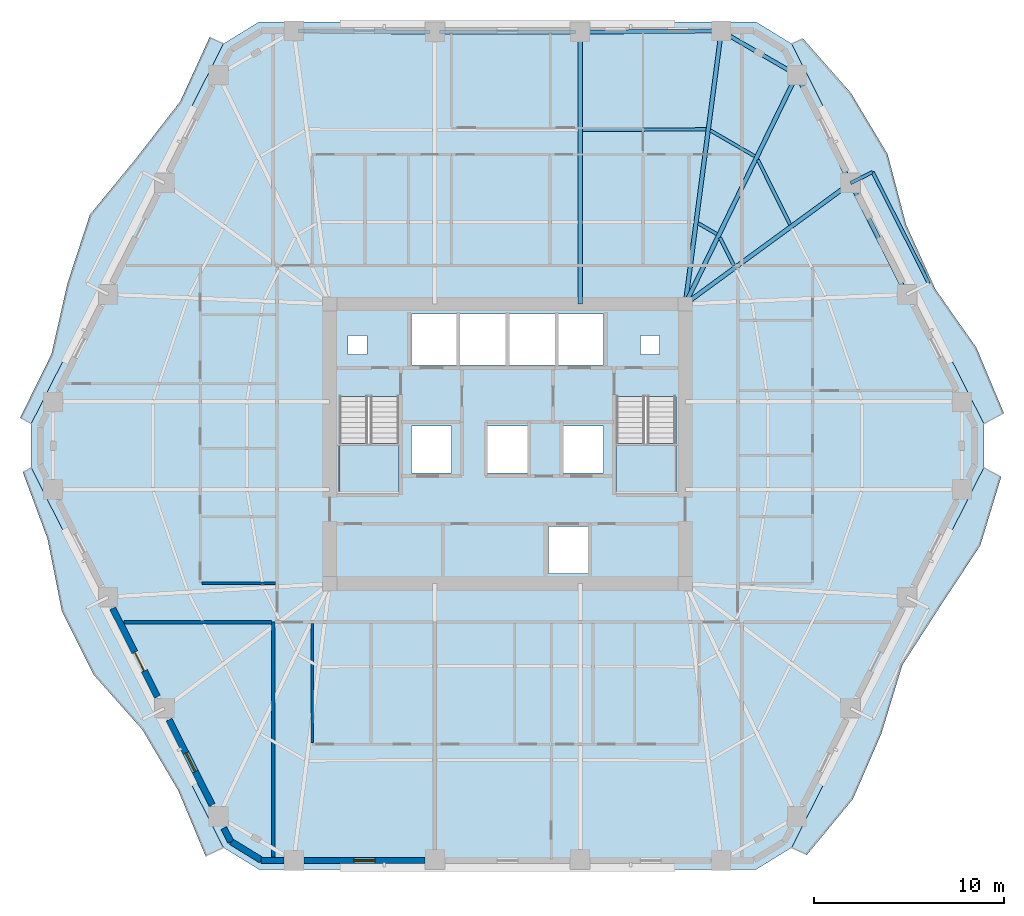
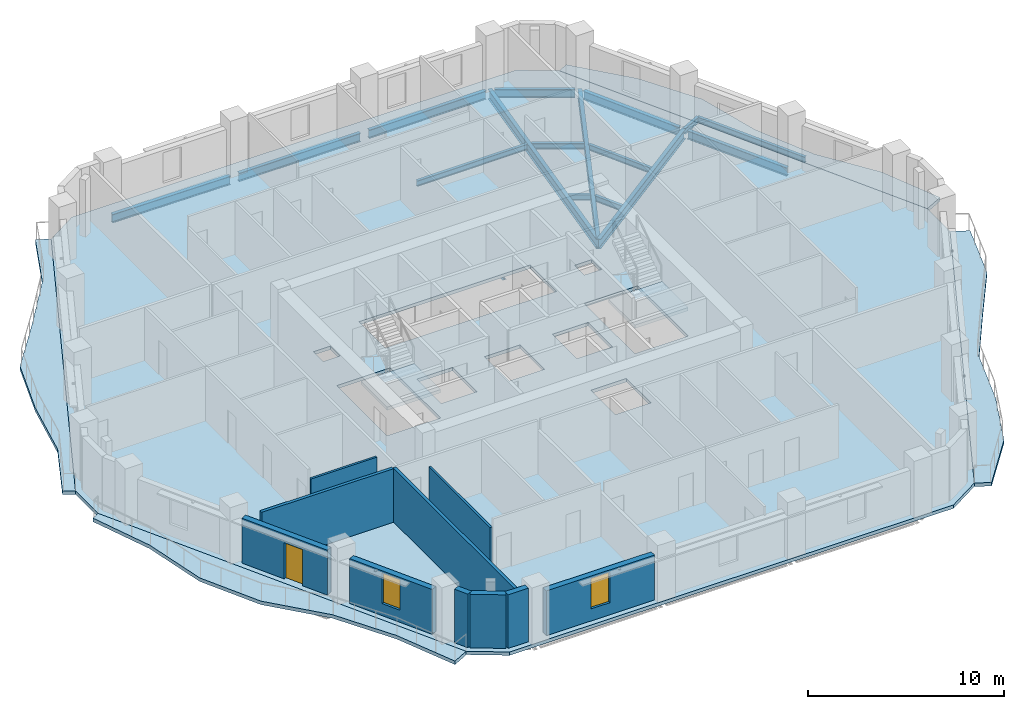
# One storey, part 3 of 12: 17 beams, 10 walls, 7 slabs, 2 windows, 1 door, 3 openings, 2 elements without a shape of their own.
"""IFC4 building model written with IfcOpenShell, lengths in metres."""

from ifc_helpers import new_model, si_unit, direction, frame, frame_2d, origin, origin_2d, place, context, subcontext, project, spatial, polyline, rectangle, i_section, outline, extrude, material, layer, layer_set, material_profile, profile_set, type_object, element, fill, aggregate, save


model = new_model("IFC4")

# Units and contexts
model_context = context("Model", 3, precision=1e-05, world=origin(), true_north=direction((0.0, 1.0)))
body_context = subcontext(model_context, "Body", "Model", "MODEL_VIEW")
ifc_project = project(units=[si_unit("LENGTHUNIT", "METRE"), si_unit("AREAUNIT", "SQUARE_METRE"), si_unit("VOLUMEUNIT", "CUBIC_METRE"), si_unit("PLANEANGLEUNIT", "RADIAN"), si_unit("MASSUNIT", "GRAM", prefix="KILO")], contexts=[model_context])

# Site, building, storey
site_placement = place(None, origin())
site = spatial("IfcSite", under=ifc_project, at=site_placement, CompositionType="ELEMENT")
building_placement = place(site_placement, origin())
building = spatial("IfcBuilding", under=site, at=building_placement, Name="Cinnabar Lancet Tower", CompositionType="ELEMENT")
storey_placement = place(building_placement, frame((0.0, 0.0, 126.800048828125)))
storey = spatial("IfcBuildingStorey", under=building, at=storey_placement, Name="L33", CompositionType="ELEMENT", Elevation=126.800048828125)

# Beams
ifc_material_1 = material(Name="Structural steel S355", Category="steel")
ifc_material_profile_1 = material_profile(ifc_material_1, i_section(OverallWidth=0.17138671875, OverallDepth=0.35498046875, WebThickness=0.00732421875, FlangeThickness=0.011474609375, FilletRadius=0.01025390625, at=origin_2d()), Name="UKB 356x171x51")
ifc_profile_set_1 = profile_set([ifc_material_profile_1], Name="Structural steel S355")
beam_type_1 = type_object("IfcBeamType", Name="STR-BM-JST-356", PredefinedType="JOIST", material=ifc_profile_set_1)
beam_1_placement = place(storey_placement, frame((47.300048828125, 37.455078125, -0.386962890625), z_axis=(-0.445116798807, 0.895472520751, 0.0), x_axis=(-0.895472520751, -0.445116798807, 0.0)))
element("IfcBeam", 1, at=beam_1_placement, inside=storey, type_object=beam_type_1, Name="L33 Secondary Floor Joist 29", PredefinedType="JOIST", context=body_context, shape_type="SweptSolid", body=[
    extrude(i_section(OverallWidth=0.17138671875, OverallDepth=0.35498046875, WebThickness=0.00732421875, FlangeThickness=0.011474609375, FilletRadius=0.01025390625, at=origin_2d()), origin(), (0.0, 0.0, 1.0), 3.8212890625),
])
beam_2_placement = place(storey_placement, frame((44.337890625, 35.2900390625, -0.386962890625), z_axis=(-0.445677136949, 0.895193772097, 0.0), x_axis=(-0.895193772097, -0.445677136949, 0.0)))
element("IfcBeam", 2, at=beam_2_placement, inside=storey, type_object=beam_type_1, Name="L33 Secondary Floor Joist 30", PredefinedType="JOIST", context=body_context, shape_type="SweptSolid", body=[
    extrude(i_section(OverallWidth=0.17138671875, OverallDepth=0.35498046875, WebThickness=0.00732421875, FlangeThickness=0.011474609375, FilletRadius=0.01025390625, at=origin_2d()), origin(), (0.0, 0.0, 1.0), 1.6533203125),
])
beam_3_placement = place(storey_placement, frame((45.43505859375, 41.06298828125, -0.386962890625), z_axis=(-0.865172906898, 0.501473669469, 0.0), x_axis=(-0.501473669469, -0.865172906898, 0.0)))
element("IfcBeam", 3, at=beam_3_placement, inside=storey, type_object=beam_type_1, Name="L33 Secondary Floor Joist 31", PredefinedType="JOIST", context=body_context, shape_type="SweptSolid", body=[
    extrude(i_section(OverallWidth=0.17138671875, OverallDepth=0.35498046875, WebThickness=0.00732421875, FlangeThickness=0.011474609375, FilletRadius=0.01025390625, at=origin_2d()), origin(), (0.0, 0.0, 1.0), 2.705810546875),
])
beam_4_placement = place(storey_placement, frame((43.43798828125, 36.9560546875, -0.386962890625), z_axis=(-0.865055308165, 0.501676503154, 0.0), x_axis=(-0.501676503154, -0.865055308165, 0.0)))
element("IfcBeam", 4, at=beam_4_placement, inside=storey, type_object=beam_type_1, Name="L33 Secondary Floor Joist 32", PredefinedType="JOIST", context=body_context, shape_type="SweptSolid", body=[
    extrude(i_section(OverallWidth=0.17138671875, OverallDepth=0.35498046875, WebThickness=0.00732421875, FlangeThickness=0.011474609375, FilletRadius=0.01025390625, at=origin_2d()), origin(), (0.0, 0.0, 1.0), 1.14208984375),
])
beam_5_placement = place(storey_placement, frame((42.8720703125, 42.48095703125, -0.386962890625), z_axis=(-0.999987991898, -0.004900618269, 0.0), x_axis=(0.004900618269, -0.999987991898, 0.0)))
element("IfcBeam", 5, at=beam_5_placement, inside=storey, type_object=beam_type_1, Name="L33 Secondary Floor Joist 33", PredefinedType="JOIST", context=body_context, shape_type="SweptSolid", body=[
    extrude(i_section(OverallWidth=0.17138671875, OverallDepth=0.35498046875, WebThickness=0.00732421875, FlangeThickness=0.011474609375, FilletRadius=0.01025390625, at=origin_2d()), origin(), (0.0, 0.0, 1.0), 6.526123046875),
])
ifc_material_2 = material(Name="Structural steel S355", Category="steel")
ifc_material_profile_2 = material_profile(ifc_material_2, i_section(OverallWidth=0.209228515625, OverallDepth=0.533203125, WebThickness=0.010009765625, FlangeThickness=0.015625, FilletRadius=0.0126953125, at=origin_2d()), Name="UKB 533x210x92")
ifc_profile_set_2 = profile_set([ifc_material_profile_2], Name="Structural steel S355")
beam_type_2 = type_object("IfcBeamType", Name="STR-BM-SPN-533", PredefinedType="SPANDREL", material=ifc_profile_set_2)
beam_6_placement = place(storey_placement, frame((53.339111328125, 33.9990234375, -0.47705078125), z_axis=(-0.450570325924, 0.892740937449, 0.0), x_axis=(-0.892740937449, -0.450570325924, 0.0)))
element("IfcBeam", 6, at=beam_6_placement, inside=storey, type_object=beam_type_2, Name="L33 Perimeter Spandrel 10", PredefinedType="SPANDREL", context=body_context, shape_type="SweptSolid", body=[
    extrude(i_section(OverallWidth=0.209228515625, OverallDepth=0.533203125, WebThickness=0.010009765625, FlangeThickness=0.015625, FilletRadius=0.0126953125, at=origin_2d()), origin(), (0.0, 0.0, 1.0), 6.07470703125),
])
beam_7_placement = place(storey_placement, frame((50.3779296875, 39.868896484375, -0.47705078125), z_axis=(-0.445501068635, 0.89528140707, 0.0), x_axis=(-0.89528140707, -0.445501068635, 0.0)))
element("IfcBeam", 7, at=beam_7_placement, inside=storey, type_object=beam_type_2, Name="L33 Perimeter Spandrel 11", PredefinedType="SPANDREL", context=body_context, shape_type="SweptSolid", body=[
    extrude(i_section(OverallWidth=0.209228515625, OverallDepth=0.533203125, WebThickness=0.010009765625, FlangeThickness=0.015625, FilletRadius=0.0126953125, at=origin_2d()), origin(), (0.0, 0.0, 1.0), 5.87646484375),
])
beam_8_placement = place(storey_placement, frame((47.43310546875, 45.47900390625, -0.47705078125), z_axis=(-0.865138129765, 0.5015336643, 0.0), x_axis=(-0.5015336643, -0.865138129765, 0.0)))
element("IfcBeam", 8, at=beam_8_placement, inside=storey, type_object=beam_type_2, Name="L33 Perimeter Spandrel 12", PredefinedType="SPANDREL", context=body_context, shape_type="SweptSolid", body=[
    extrude(i_section(OverallWidth=0.209228515625, OverallDepth=0.533203125, WebThickness=0.010009765625, FlangeThickness=0.015625, FilletRadius=0.0126953125, at=origin_2d()), origin(), (0.0, 0.0, 1.0), 4.10107421875),
])
beam_9_placement = place(storey_placement, frame((43.4189453125, 47.658935546875, -0.47705078125), z_axis=(-0.999975228682, -0.007038609338, 0.0), x_axis=(0.007038609338, -0.999975228682, 0.0)))
element("IfcBeam", 9, at=beam_9_placement, inside=storey, type_object=beam_type_2, Name="L33 Perimeter Spandrel 13", PredefinedType="SPANDREL", context=body_context, shape_type="SweptSolid", body=[
    extrude(i_section(OverallWidth=0.209228515625, OverallDepth=0.533203125, WebThickness=0.010009765625, FlangeThickness=0.015625, FilletRadius=0.0126953125, at=origin_2d()), origin(), (0.0, 0.0, 1.0), 6.937255859375),
])
beam_10_placement = place(storey_placement, frame((35.98193359375, 47.60791015625, -0.47705078125), z_axis=(-1.0, 0.0, 0.0), x_axis=(0.0, -1.0, 0.0)))
element("IfcBeam", 10, at=beam_10_placement, inside=storey, type_object=beam_type_2, Name="L33 Perimeter Spandrel 14", PredefinedType="SPANDREL", context=body_context, shape_type="SweptSolid", body=[
    extrude(i_section(OverallWidth=0.209228515625, OverallDepth=0.533203125, WebThickness=0.010009765625, FlangeThickness=0.015625, FilletRadius=0.0126953125, at=origin_2d()), origin(), (0.0, 0.0, 1.0), 7.163818359375),
])
beam_11_placement = place(storey_placement, frame((28.318115234375, 47.610107421875, -0.47705078125), z_axis=(-0.999975228682, 0.007038609338, 0.0), x_axis=(-0.007038609338, -0.999975228682, 0.0)))
element("IfcBeam", 11, at=beam_11_placement, inside=storey, type_object=beam_type_2, Name="L33 Perimeter Spandrel 15", PredefinedType="SPANDREL", context=body_context, shape_type="SweptSolid", body=[
    extrude(i_section(OverallWidth=0.209228515625, OverallDepth=0.533203125, WebThickness=0.010009765625, FlangeThickness=0.015625, FilletRadius=0.0126953125, at=origin_2d()), origin(), (0.0, 0.0, 1.0), 6.937255859375),
])
ifc_material_3 = material(Name="Structural steel S355", Category="steel")
ifc_material_profile_3 = material_profile(ifc_material_3, i_section(OverallWidth=0.228271484375, OverallDepth=0.607666015625, WebThickness=0.010986328125, FlangeThickness=0.017333984375, FilletRadius=0.0126953125, at=origin_2d()), Name="UKB 610x229x113")
ifc_profile_set_3 = profile_set([ifc_material_profile_3], Name="Structural steel S355")
beam_type_3 = type_object("IfcBeamType", Name="STR-BM-UKB610-113", PredefinedType="BEAM", material=ifc_profile_set_3)
beam_12_placement = place(storey_placement, frame((50.489013671875, 39.64501953125, -0.51416015625), z_axis=(-0.807297870919, -0.590144175273, 0.0), x_axis=(0.590144175273, -0.807297870919, 0.0)))
element("IfcBeam", 12, at=beam_12_placement, inside=storey, type_object=beam_type_3, Name="L33 Corner Collector Girder 3", PredefinedType="BEAM", context=body_context, shape_type="SweptSolid", body=[
    extrude(i_section(OverallWidth=0.228271484375, OverallDepth=0.607666015625, WebThickness=0.010986328125, FlangeThickness=0.017333984375, FilletRadius=0.0126953125, at=origin_2d()), origin(), (0.0, 0.0, 1.0), 10.794189453125),
])
beam_13_placement = place(storey_placement, frame((47.64892578125, 45.35400390625, -0.51416015625), z_axis=(-0.437327473227, -0.899302330232, 0.0), x_axis=(0.899302330232, -0.437327473227, 0.0)))
element("IfcBeam", 13, at=beam_13_placement, inside=storey, type_object=beam_type_3, Name="L33 Primary Floor Girder 12", PredefinedType="BEAM", context=body_context, shape_type="SweptSolid", body=[
    extrude(i_section(OverallWidth=0.228271484375, OverallDepth=0.607666015625, WebThickness=0.010986328125, FlangeThickness=0.017333984375, FilletRadius=0.0126953125, at=origin_2d()), origin(), (0.0, 0.0, 1.0), 13.431640625),
])
beam_14_placement = place(storey_placement, frame((43.6689453125, 47.660888671875, -0.51416015625), z_axis=(-0.130532420418, -0.991444041396, 0.0), x_axis=(0.991444041396, -0.130532420418, 0.0)))
element("IfcBeam", 14, at=beam_14_placement, inside=storey, type_object=beam_type_3, Name="L33 Primary Floor Girder 13", PredefinedType="BEAM", context=body_context, shape_type="SweptSolid", body=[
    extrude(i_section(OverallWidth=0.228271484375, OverallDepth=0.607666015625, WebThickness=0.010986328125, FlangeThickness=0.017333984375, FilletRadius=0.0126953125, at=origin_2d()), origin(), (0.0, 0.0, 1.0), 14.51025390625),
])
beam_15_placement = place(storey_placement, frame((36.23193359375, 47.60791015625, -0.51416015625), z_axis=(0.0, -1.0, 0.0), x_axis=(1.0, 0.0, 0.0)))
element("IfcBeam", 15, at=beam_15_placement, inside=storey, type_object=beam_type_3, Name="L33 Primary Floor Girder 14", PredefinedType="BEAM", context=body_context, shape_type="SweptSolid", body=[
    extrude(i_section(OverallWidth=0.228271484375, OverallDepth=0.607666015625, WebThickness=0.010986328125, FlangeThickness=0.017333984375, FilletRadius=0.0126953125, at=origin_2d()), origin(), (0.0, 0.0, 1.0), 14.3330078125),
])
ifc_material_4 = material(Name="Structural steel S355", Category="steel")
ifc_material_profile_4 = material_profile(ifc_material_4, i_section(OverallWidth=0.17138671875, OverallDepth=0.35498046875, WebThickness=0.00732421875, FlangeThickness=0.011474609375, FilletRadius=0.01025390625, at=origin_2d()), Name="UKB 356x171x51")
ifc_profile_set_4 = profile_set([ifc_material_profile_4], Name="Structural steel S355")
beam_type_4 = type_object("IfcBeamType", Name="STR-BM-WAV-OUT", PredefinedType="BEAM", material=ifc_profile_set_4)
beam_16_placement = place(storey_placement, frame((50.489013671875, 39.64501953125, -0.39697265625), z_axis=(0.89227592947, 0.451490493464, 0.0), x_axis=(-0.451490493464, 0.89227592947, 0.0)))
element("IfcBeam", 16, at=beam_16_placement, inside=storey, type_object=beam_type_4, Name="L33 Face 3 Balcony Outlooker B", PredefinedType="BEAM", context=body_context, shape_type="SweptSolid", body=[
    extrude(i_section(OverallWidth=0.17138671875, OverallDepth=0.35498046875, WebThickness=0.00732421875, FlangeThickness=0.011474609375, FilletRadius=0.01025390625, at=origin_2d()), origin(), (0.0, 0.0, 1.0), 1.300048828125),
])
ifc_material_5 = material(Name="Structural steel S355", Category="steel")
ifc_material_profile_5 = material_profile(ifc_material_5, i_section(OverallWidth=0.17138671875, OverallDepth=0.35498046875, WebThickness=0.00732421875, FlangeThickness=0.011474609375, FilletRadius=0.01025390625, at=origin_2d()), Name="UKB 356x171x51")
ifc_profile_set_5 = profile_set([ifc_material_profile_5], Name="Structural steel S355")
beam_type_5 = type_object("IfcBeamType", Name="STR-BM-WAV-TRIM", PredefinedType="SPANDREL", material=ifc_profile_set_5)
beam_17_placement = place(storey_placement, frame((54.612060546875, 34.363037109375, -0.39697265625), z_axis=(-0.450700828166, 0.892675060417, 0.0), x_axis=(-0.892675060417, -0.450700828166, 0.0)))
element("IfcBeam", 17, at=beam_17_placement, inside=storey, type_object=beam_type_5, Name="L33 Face 3 Balcony Edge Trimmer", PredefinedType="SPANDREL", context=body_context, shape_type="SweptSolid", body=[
    extrude(i_section(OverallWidth=0.17138671875, OverallDepth=0.35498046875, WebThickness=0.00732421875, FlangeThickness=0.011474609375, FilletRadius=0.01025390625, at=origin_2d()), origin(), (0.0, 0.0, 1.0), 6.574462890625),
])

# Stair, slab
ifc_material_6 = material(Name="Concrete C40/50", Category="concrete")
stair_type = type_object("IfcStairType", Name="ST-CORE", PredefinedType="HALF_TURN_STAIR", material=ifc_material_6)
stair_1_placement = place(storey_placement, origin())
stair_1 = element("IfcStair", 18, at=stair_1_placement, inside=storey, type_object=stair_type, Name="L33 ST-1", PredefinedType="HALF_TURN_STAIR")
ifc_material_7 = material(Name="Concrete C40/50", Category="concrete")
ifc_layer_1 = layer(ifc_material_7, 0.199951171875)
ifc_layer_set_1 = layer_set([ifc_layer_1], Name="Concrete C40/50")
slab_type_1 = type_object("IfcSlabType", Name="LANDING-CORE", PredefinedType="LANDING", material=ifc_layer_set_1)
slab_1_placement = place(storey_placement, frame((0.0, 0.0, 1.574951171875)))
slab_1 = element("IfcSlab", 19, at=slab_1_placement, type_object=slab_type_1, Name="ST-1 landing 1", PredefinedType="LANDING", context=body_context, shape_type="SweptSolid", body=[
    extrude(outline(polyline([(23.52490234375, 25.925048828125), (23.52490234375, 23.25), (26.675048828125, 23.25), (26.675048828125, 25.925048828125), (23.52490234375, 25.925048828125)])), origin(), (0.0, 0.0, 1.0), 0.199951171875),
])
aggregate(stair_1, [slab_1])

stair_2_placement = place(storey_placement, origin())
stair_2 = element("IfcStair", 20, at=stair_2_placement, inside=storey, type_object=stair_type, Name="L33 ST-2", PredefinedType="HALF_TURN_STAIR")
slab_2_placement = place(storey_placement, frame((0.0, 0.0, 1.574951171875)))
slab_2 = element("IfcSlab", 21, at=slab_2_placement, type_object=slab_type_1, Name="ST-2 landing 1", PredefinedType="LANDING", context=body_context, shape_type="SweptSolid", body=[
    extrude(outline(polyline([(38.125, 25.925048828125), (38.125, 23.25), (41.27490234375, 23.25), (41.27490234375, 25.925048828125), (38.125, 25.925048828125)])), origin(), (0.0, 0.0, 1.0), 0.199951171875),
])
aggregate(stair_2, [slab_2])

# Slabs
ifc_material_8 = material(Name="Concrete C40/50", Category="concrete")
ifc_layer_2 = layer(ifc_material_8, 0.2099609375)
ifc_layer_set_2 = layer_set([ifc_layer_2], Name="Concrete C40/50")
slab_type_2 = type_object("IfcSlabType", Name="STR-SLB-FLR-210", PredefinedType="FLOOR", material=ifc_layer_set_2)
slab_3_placement = place(storey_placement, frame((0.0, 0.0, -0.2099609375)))
element("IfcSlab", 22, at=slab_3_placement, inside=storey, type_object=slab_type_2, Name="L33 Structural Floor Slab", PredefinedType="FLOOR", context=body_context, shape_type="SweptSolid", body=[
    extrude(outline(polyline([(17.4208984375, 4.610107421875), (19.30810546875, 3.449951171875), (45.491943359375, 3.449951171875), (47.37890625, 4.610107421875), (57.512939453125, 24.639892578125), (57.512939453125, 26.9599609375), (47.37890625, 46.989990234375), (45.491943359375, 48.14990234375), (19.30810546875, 48.14990234375), (17.4208984375, 46.989990234375), (7.287109375, 26.9599609375), (7.287109375, 24.639892578125), (17.4208984375, 4.610107421875)]), holes=[polyline([(23.52490234375, 23.25), (26.675048828125, 23.25), (26.675048828125, 28.3994140625), (23.52490234375, 28.3994140625), (23.52490234375, 23.25)]), polyline([(38.125, 23.25), (41.27490234375, 23.25), (41.27490234375, 28.3994140625), (38.125, 28.3994140625), (38.125, 23.25)]), polyline([(27.35009765625, 30.050048828125), (37.449951171875, 30.050048828125), (37.449951171875, 32.75), (27.35009765625, 32.75), (27.35009765625, 30.050048828125)]), polyline([(34.550048828125, 19.050048828125), (36.64990234375, 19.050048828125), (36.64990234375, 21.550048828125), (34.550048828125, 21.550048828125), (34.550048828125, 19.050048828125)]), polyline([(27.35009765625, 24.35009765625), (29.449951171875, 24.35009765625), (29.449951171875, 26.85009765625), (27.35009765625, 26.85009765625), (27.35009765625, 24.35009765625)]), polyline([(35.35009765625, 24.35009765625), (37.449951171875, 24.35009765625), (37.449951171875, 26.85009765625), (35.35009765625, 26.85009765625), (35.35009765625, 24.35009765625)]), polyline([(31.35009765625, 24.35009765625), (33.449951171875, 24.35009765625), (33.449951171875, 26.85009765625), (31.35009765625, 26.85009765625), (31.35009765625, 24.35009765625)]), polyline([(24.0, 30.60009765625), (25.0, 30.60009765625), (25.0, 31.60009765625), (24.0, 31.60009765625), (24.0, 30.60009765625)]), polyline([(39.39990234375, 30.60009765625), (40.39990234375, 30.60009765625), (40.39990234375, 31.60009765625), (39.39990234375, 31.60009765625), (39.39990234375, 30.60009765625)])]), origin(), (0.0, 0.0, 1.0), 0.2099609375),
])
ifc_material_9 = material(Name="Concrete C45/55", Category="concrete")
ifc_layer_3 = layer(ifc_material_9, 0.219970703125)
ifc_layer_set_3 = layer_set([ifc_layer_3], Name="Concrete C45/55")
slab_type_3 = type_object("IfcSlabType", Name="STR-SLB-WAV-220", PredefinedType="FLOOR", material=ifc_layer_set_3)
slab_4_placement = place(storey_placement, frame((0.0, 0.0, -0.219970703125)))
element("IfcSlab", 23, at=slab_4_placement, inside=storey, type_object=slab_type_3, Name="L33 Face 2 Undulating Wave Balcony Slab", PredefinedType="FLOOR", context=body_context, shape_type="SweptSolid", body=[
    extrude(outline(polyline([(47.37890625, 4.610107421875), (48.1689453125, 4.2099609375), (50.60791015625, 7.1689453125), (52.10400390625, 10.60498046875), (53.217041015625, 14.235107421875), (55.25390625, 17.39697265625), (57.325927734375, 20.5419921875), (58.431884765625, 24.175048828125), (57.512939453125, 24.639892578125), (47.37890625, 4.610107421875)])), origin(), (0.0, 0.0, 1.0), 0.219970703125),
])
slab_5_placement = place(storey_placement, frame((0.0, 0.0, -0.219970703125)))
element("IfcSlab", 24, at=slab_5_placement, inside=storey, type_object=slab_type_3, Name="L33 Face 3 Undulating Wave Balcony Slab", PredefinedType="FLOOR", context=body_context, shape_type="SweptSolid", body=[
    extrude(outline(polyline([(57.512939453125, 26.9599609375), (58.576904296875, 27.498046875), (57.125, 30.95703125), (54.9560546875, 34.052001953125), (53.412109375, 37.464111328125), (52.43896484375, 41.1640625), (50.512939453125, 44.383056640625), (47.9599609375, 47.283935546875), (47.37890625, 46.989990234375), (57.512939453125, 26.9599609375)])), origin(), (0.0, 0.0, 1.0), 0.219970703125),
])
slab_6_placement = place(storey_placement, frame((0.0, 0.0, -0.219970703125)))
element("IfcSlab", 25, at=slab_6_placement, inside=storey, type_object=slab_type_3, Name="L33 Face 5 Undulating Wave Balcony Slab", PredefinedType="FLOOR", context=body_context, shape_type="SweptSolid", body=[
    extrude(outline(polyline([(17.4208984375, 46.989990234375), (16.700927734375, 47.35400390625), (15.14404296875, 43.948974609375), (12.81005859375, 40.93701171875), (10.37890625, 37.97412109375), (9.202880859375, 34.3759765625), (8.35009765625, 30.614990234375), (6.695068359375, 27.259033203125), (7.287109375, 26.9599609375), (17.4208984375, 46.989990234375)])), origin(), (0.0, 0.0, 1.0), 0.219970703125),
])
slab_7_placement = place(storey_placement, frame((0.0, 0.0, -0.219970703125)))
element("IfcSlab", 26, at=slab_7_placement, inside=storey, type_object=slab_type_3, Name="L33 Face 6 Undulating Wave Balcony Slab", PredefinedType="FLOOR", context=body_context, shape_type="SweptSolid", body=[
    extrude(outline(polyline([(7.287109375, 24.639892578125), (6.841064453125, 24.4140625), (8.14892578125, 20.883056640625), (8.905029296875, 17.072998046875), (10.573974609375, 13.72412109375), (13.14501953125, 10.83203125), (15.049072265625, 7.60302734375), (16.490966796875, 4.139892578125), (17.4208984375, 4.610107421875), (7.287109375, 24.639892578125)])), origin(), (0.0, 0.0, 1.0), 0.219970703125),
])

# Walls
ifc_material_10 = material(Name="Fire-rated twin-frame acoustic drywall", Category="gypsum")
ifc_layer_4 = layer(ifc_material_10, 0.179931640625)
ifc_layer_set_4 = layer_set([ifc_layer_4], Name="Fire-rated twin-frame acoustic drywall")
wall_type_1 = type_object("IfcWallType", Name="ARC-WL-PARTY-180", PredefinedType="PARTITIONING", material=ifc_layer_set_4)
wall_1_placement = place(storey_placement, frame((20.050048828125, 4.10498046875, 0.0), z_axis=(0.0, 0.0, 1.0), x_axis=(0.0, 1.0, 0.0)))
element("IfcWall", 27, at=wall_1_placement, inside=storey, type_object=wall_type_1, Name="PW-L33-SPTY-200", PredefinedType="PARTITIONING", context=body_context, shape_type="SweptSolid", body=[
    extrude(rectangle(XDim=12.39501953125, YDim=0.179931640625, at=frame_2d((6.197509765625, 0.0))), origin(), (0.0, 0.0, 1.0), 3.33984375),
])
wall_2_placement = place(storey_placement, frame((12.18505859375, 16.5, 0.0), z_axis=(0.0, 0.0, 1.0), x_axis=(1.0, 0.0, 0.0)))
element("IfcWall", 28, at=wall_2_placement, inside=storey, type_object=wall_type_1, Name="PW-L33-WSB", PredefinedType="PARTITIONING", context=body_context, shape_type="SweptSolid", body=[
    extrude(rectangle(XDim=7.77001953125, YDim=0.179931640625, at=frame_2d((3.885009765625, 0.0))), origin(), (0.0, 0.0, 1.0), 3.33984375),
])
ifc_material_11 = material(Name="Gypsum plasterboard stud partition", Category="gypsum")
ifc_layer_5 = layer(ifc_material_11, 0.125)
ifc_layer_set_5 = layer_set([ifc_layer_5], Name="Gypsum plasterboard stud partition")
wall_type_2 = type_object("IfcWallType", Name="ARC-WL-UNIT-125", PredefinedType="PARTITIONING", material=ifc_layer_set_5)
wall_3_placement = place(storey_placement, frame((22.10009765625, 10.159912109375, 0.0), z_axis=(0.0, 0.0, 1.0), x_axis=(0.0, 1.0, 0.0)))
element("IfcWall", 29, at=wall_3_placement, inside=storey, type_object=wall_type_2, Name="UW-L33-S01-FOYE", PredefinedType="PARTITIONING", context=body_context, shape_type="SweptSolid", body=[
    extrude(rectangle(XDim=6.255126953125, YDim=0.125, at=frame_2d((3.12744140625, 0.0))), origin(), (0.0, 0.0, 1.0), 2.721923828125),
])
wall_4_placement = place(storey_placement, frame((16.284912109375, 18.550048828125, 0.0), z_axis=(0.0, 0.0, 1.0), x_axis=(1.0, 0.0, 0.0)))
element("IfcWall", 30, at=wall_4_placement, inside=storey, type_object=wall_type_2, Name="UW-L33-W01-FOYN", PredefinedType="PARTITIONING", context=body_context, shape_type="SweptSolid", body=[
    extrude(rectangle(XDim=3.880126953125, YDim=0.125, at=frame_2d((1.93994140625, 0.0))), origin(), (0.0, 0.0, 1.0), 2.721923828125),
])
ifc_material_12 = material(Name="Cinnabar red clay brick", Category="masonry")
ifc_layer_6 = layer(ifc_material_12, 0.340087890625)
ifc_layer_set_6 = layer_set([ifc_layer_6], Name="Cinnabar red clay brick")
wall_type_3 = type_object("IfcWallType", Name="ENV-WL-BRK-RED-340", PredefinedType="STANDARD", material=ifc_layer_set_6)
wall_5_placement = place(storey_placement, frame((17.8291015625, 4.923095703125, 0.0), z_axis=(0.0, 0.0, 1.0), x_axis=(0.851798915137, -0.523868884523, 0.0)))
element("IfcWall", 31, at=wall_5_placement, inside=storey, type_object=wall_type_3, Name="L33 Chamfered Corner Brick Pier 1.1", PredefinedType="STANDARD", context=body_context, shape_type="SweptSolid", body=[
    extrude(rectangle(XDim=1.847900390625, YDim=0.340087890625, at=frame_2d((0.923828125, 0.0))), origin(), (0.0, 0.0, 1.0), 3.33984375),
])
wall_6_placement = place(storey_placement, frame((19.39794921875, 3.929931640625, 0.0), z_axis=(0.0, 0.0, 1.0), x_axis=(1.0, 0.0, 0.0)))
element("IfcWall", 32, at=wall_6_placement, inside=storey, type_object=wall_type_3, Name="L33 Face 1 Masonry Bay Wall 1", PredefinedType="STANDARD", context=body_context, shape_type="SweptSolid", body=[
    extrude(rectangle(XDim=1.2041015625, YDim=0.340087890625, at=frame_2d((0.60205078125, 0.0))), origin(), (0.0, 0.0, 1.0), 3.33984375),
])

# Wall, opening, window
wall_7_placement = place(storey_placement, frame((21.659912109375, 3.929931640625, 0.0), z_axis=(0.0, 0.0, 1.0), x_axis=(1.0, 0.0, 0.0)))
wall_7 = element("IfcWall", 33, at=wall_7_placement, inside=storey, type_object=wall_type_3, Name="L33 Face 1 Masonry Bay Wall 2", PredefinedType="STANDARD", context=body_context, shape_type="SweptSolid", body=[
    extrude(rectangle(XDim=6.379150390625, YDim=0.340087890625, at=frame_2d((3.189453125, 0.0))), origin(), (0.0, 0.0, 1.0), 2.796875),
])
opening_1_placement = place(wall_7_placement, frame((2.639892578125, 0.0, 0.75)))
opening_1 = element("IfcOpeningElement", 34, at=opening_1_placement, cuts=wall_7, Name="Opening WN-04", PredefinedType="OPENING", context=body_context, shape_type="SweptSolid", body=[
    extrude(rectangle(XDim=1.10009765625, YDim=1.89697265625, at=frame_2d((0.550048828125, 0.948486328125))), frame((0.0, 0.179931640625, 0.0), z_axis=(0.0, -1.0, 0.0), x_axis=(1.0, 0.0, 0.0)), (0.0, 0.0, 1.0), 0.360107421875),
])
ifc_material_13 = material(Name="Thermally broken bronze-anodized aluminium tall lancet window", Category="aluminium")
window_type = type_object("IfcWindowType", Name="ENV-WN-LANCET-1100", PartitioningType="SINGLE_PANEL", PredefinedType="WINDOW", material=ifc_material_13)
window_1_placement = place(opening_1_placement, origin())
window_1 = element("IfcWindow", 35, at=window_1_placement, inside=storey, type_object=window_type, Name="L33 Face 1 Gothic Lancet Window 2", OverallHeight=1.89697265625, OverallWidth=1.10009765625, PartitioningType="SINGLE_PANEL", PredefinedType="WINDOW", context=body_context, shape_type="SweptSolid", body=[
    extrude(rectangle(XDim=1.10009765625, YDim=1.89697265625, at=frame_2d((0.550048828125, 0.948486328125))), frame((0.0, 0.030029296875, 0.0), z_axis=(0.0, -1.0, 0.0), x_axis=(1.0, 0.0, 0.0)), (0.0, 0.0, 1.0), 0.06005859375),
])
fill(opening_1, window_1)

# Wall, opening, door
wall_8_placement = place(storey_placement, frame((11.580078125, 17.218017578125, 0.0), z_axis=(0.0, 0.0, 1.0), x_axis=(0.451567731634, -0.892236842855, 0.0)))
wall_8 = element("IfcWall", 36, at=wall_8_placement, inside=storey, type_object=wall_type_3, Name="L33 Face 6 Masonry Bay Wall 3", PredefinedType="STANDARD", context=body_context, shape_type="SweptSolid", body=[
    extrude(rectangle(XDim=5.219482421875, YDim=0.340087890625, at=frame_2d((2.60986328125, 0.0))), origin(), (0.0, 0.0, 1.0), 2.796875),
])
opening_2_placement = place(wall_8_placement, frame((2.5869140625, 0.0, 0.0)))
opening_2 = element("IfcOpeningElement", 37, at=opening_2_placement, cuts=wall_8, Name="Opening TD-01", PredefinedType="OPENING", context=body_context, shape_type="SweptSolid", body=[
    extrude(rectangle(XDim=1.10009765625, YDim=2.25, at=frame_2d((0.550048828125, 1.125))), frame((0.0, 0.179931640625, 0.0), z_axis=(0.0, -1.0, 0.0), x_axis=(1.0, 0.0, 0.0)), (0.0, 0.0, 1.0), 0.360107421875),
])
ifc_material_14 = material(Name="Thermally broken low-E glazed balcony terrace door", Category="wood")
door_type = type_object("IfcDoorType", Name="ARC-DR-BALC", OperationType="NOTDEFINED", PredefinedType="DOOR", material=ifc_material_14)
door_placement = place(opening_2_placement, origin())
door = element("IfcDoor", 38, at=door_placement, inside=storey, type_object=door_type, Name="L33 Face 6 Glazed Terrace Door", OperationType="SINGLE_SWING_RIGHT", OverallHeight=2.25, OverallWidth=1.10009765625, PredefinedType="DOOR", context=body_context, shape_type="SweptSolid", body=[
    extrude(rectangle(XDim=1.10009765625, YDim=2.25, at=frame_2d((0.550048828125, 1.125))), frame((0.0, 0.02490234375, 0.0), z_axis=(0.0, -1.0, 0.0), x_axis=(1.0, 0.0, 0.0)), (0.0, 0.0, 1.0), 0.050048828125),
])
fill(opening_2, door)

# Wall, opening, window
wall_9_placement = place(storey_placement, frame((14.549072265625, 11.34912109375, 0.0), z_axis=(0.0, 0.0, 1.0), x_axis=(0.451548465867, -0.892246593142, 0.0)))
wall_9 = element("IfcWall", 39, at=wall_9_placement, inside=storey, type_object=wall_type_3, Name="L33 Face 6 Masonry Bay Wall 4", PredefinedType="STANDARD", context=body_context, shape_type="SweptSolid", body=[
    extrude(rectangle(XDim=5.040283203125, YDim=0.340087890625, at=frame_2d((2.52001953125, 0.0))), origin(), (0.0, 0.0, 1.0), 2.796875),
])
opening_3_placement = place(wall_9_placement, frame((1.969970703125, 0.0, 0.75)))
opening_3 = element("IfcOpeningElement", 40, at=opening_3_placement, cuts=wall_9, Name="Opening WN-04", PredefinedType="OPENING", context=body_context, shape_type="SweptSolid", body=[
    extrude(rectangle(XDim=1.10009765625, YDim=1.89697265625, at=frame_2d((0.550048828125, 0.948486328125))), frame((0.0, 0.179931640625, 0.0), z_axis=(0.0, -1.0, 0.0), x_axis=(1.0, 0.0, 0.0)), (0.0, 0.0, 1.0), 0.360107421875),
])
window_2_placement = place(opening_3_placement, origin())
window_2 = element("IfcWindow", 41, at=window_2_placement, inside=storey, type_object=window_type, Name="L33 Face 6 Gothic Lancet Window 4", OverallHeight=1.89697265625, OverallWidth=1.10009765625, PartitioningType="SINGLE_PANEL", PredefinedType="WINDOW", context=body_context, shape_type="SweptSolid", body=[
    extrude(rectangle(XDim=1.10009765625, YDim=1.89697265625, at=frame_2d((0.550048828125, 0.948486328125))), frame((0.0, 0.030029296875, 0.0), z_axis=(0.0, -1.0, 0.0), x_axis=(1.0, 0.0, 0.0)), (0.0, 0.0, 1.0), 0.06005859375),
])
fill(opening_3, window_2)

# Wall
wall_10_placement = place(storey_placement, frame((17.43798828125, 5.639892578125, 0.0), z_axis=(0.0, 0.0, 1.0), x_axis=(0.45172514337, -0.892157158155, 0.0)))
element("IfcWall", 42, at=wall_10_placement, inside=storey, type_object=wall_type_3, Name="L33 Face 6 Masonry Bay Wall 5", PredefinedType="STANDARD", context=body_context, shape_type="SweptSolid", body=[
    extrude(rectangle(XDim=0.821533203125, YDim=0.340087890625, at=frame_2d((0.41064453125, 0.0))), origin(), (0.0, 0.0, 1.0), 3.33984375),
])

save(model, "model.ifc")
